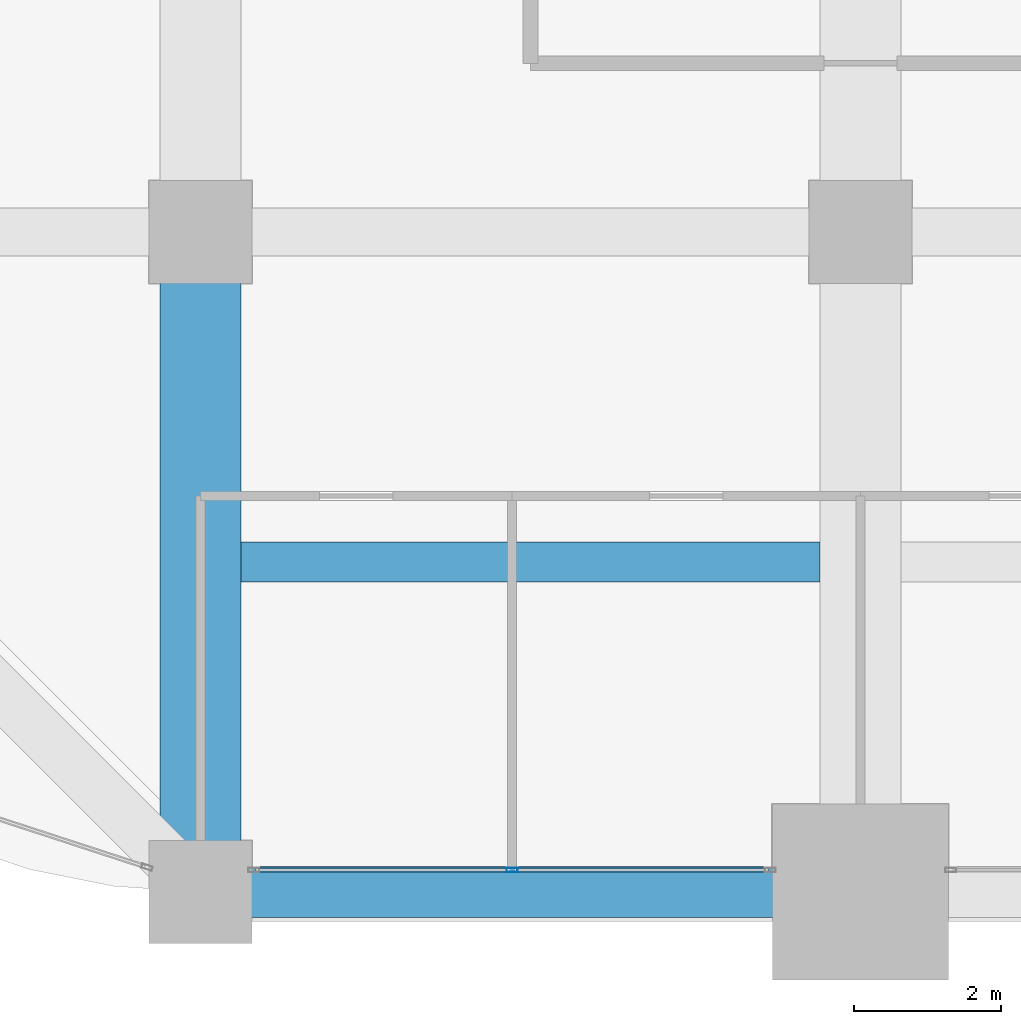
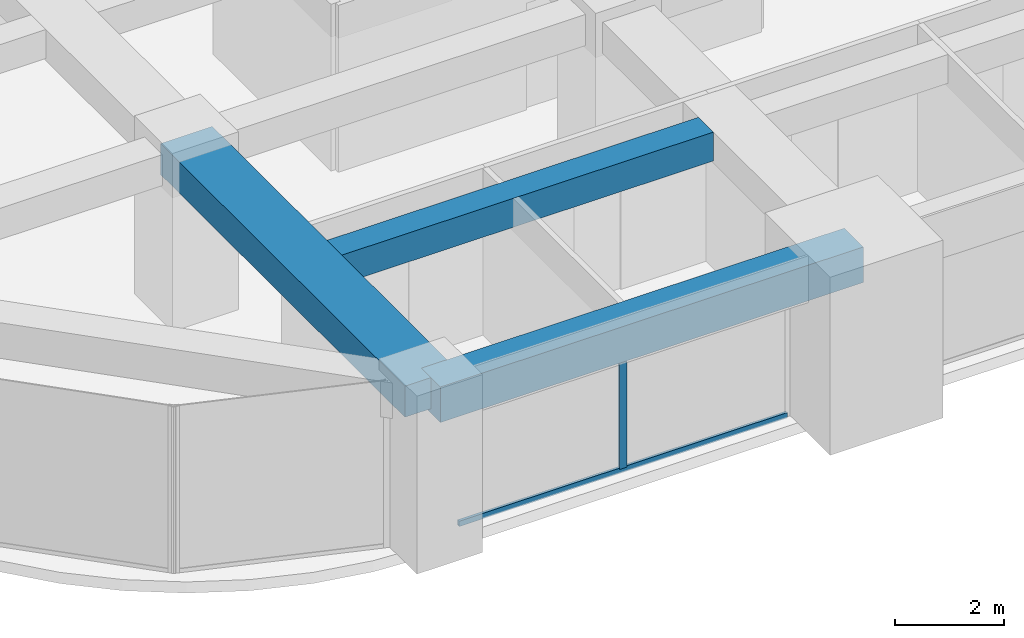
# One storey, part 3 of 33: 3 beams, 2 members, 1 element without a shape of its own.
"""IFC4 building model written with IfcOpenShell, lengths in metres."""

from ifc_helpers import new_model, si_unit, direction, frame, origin, origin_2d, place, context, subcontext, project, spatial, rectangle, hollow_rectangle, extrude, material, material_profile, profile_set, type_object, element, aggregate, save


model = new_model("IFC4")

# Units and contexts
model_context = context("Model", 3, precision=1e-05, world=origin(), true_north=direction((0.0, 1.0)))
body_context = subcontext(model_context, "Body", "Model", "MODEL_VIEW")
ifc_project = project(units=[si_unit("LENGTHUNIT", "METRE"), si_unit("AREAUNIT", "SQUARE_METRE"), si_unit("VOLUMEUNIT", "CUBIC_METRE"), si_unit("PLANEANGLEUNIT", "RADIAN"), si_unit("MASSUNIT", "GRAM", prefix="KILO")], contexts=[model_context])

# Site, building, storey
site_placement = place(None, origin())
site = spatial("IfcSite", under=ifc_project, at=site_placement, CompositionType="ELEMENT")
building_placement = place(site_placement, origin())
building = spatial("IfcBuilding", under=site, at=building_placement, Name="Zorevar Civic Tower", CompositionType="ELEMENT")
storey_placement = place(building_placement, frame((0.0, 0.0, 210.199951171875)))
storey = spatial("IfcBuildingStorey", under=building, at=storey_placement, Name="L51", CompositionType="ELEMENT", Elevation=210.199951171875)

# Beams
ifc_material_1 = material(Name="Concrete C50/60", Category="concrete")
ifc_material_profile_1 = material_profile(ifc_material_1, rectangle(XDim=1.10009765625, YDim=0.699951171875, at=origin_2d()), Name="RC 1100x700")
ifc_profile_set_1 = profile_set([ifc_material_profile_1], Name="Concrete C50/60")
beam_type_1 = type_object("IfcBeamType", Name="Beam RC 1100x700", PredefinedType="BEAM", material=ifc_profile_set_1)
beam_1_placement = place(storey_placement, frame((9.0, 0.0, 3.400146484375), z_axis=(0.0, 1.0, 0.0), x_axis=(-1.0, 0.0, 0.0)))
element("IfcBeam", 1, at=beam_1_placement, inside=storey, type_object=beam_type_1, Name="Girder L52", PredefinedType="BEAM", context=body_context, shape_type="SweptSolid", body=[
    extrude(rectangle(XDim=1.10009765625, YDim=0.699951171875, at=origin_2d()), origin(), (0.0, 0.0, 1.0), 9.0),
])
ifc_material_2 = material(Name="Concrete C50/60", Category="concrete")
ifc_material_profile_2 = material_profile(ifc_material_2, rectangle(XDim=0.550048828125, YDim=0.64990234375, at=origin_2d()), Name="RC 550x650")
ifc_profile_set_2 = profile_set([ifc_material_profile_2], Name="Concrete C50/60")
beam_type_2 = type_object("IfcBeamType", Name="Beam RC 550x650", PredefinedType="BEAM", material=ifc_profile_set_2)
beam_2_placement = place(storey_placement, frame((9.550048828125, 4.5, 3.425048828125), z_axis=(1.0, 0.0, 0.0), x_axis=(0.0, 1.0, 0.0)))
element("IfcBeam", 2, at=beam_2_placement, inside=storey, type_object=beam_type_2, Name="Secondary beam L52", PredefinedType="BEAM", context=body_context, shape_type="SweptSolid", body=[
    extrude(rectangle(XDim=0.550048828125, YDim=0.64990234375, at=origin_2d()), origin(), (0.0, 0.0, 1.0), 7.89990234375),
])

# Curtain wall, members
ifc_material_3 = material(Name="Dark grey solar-control glass in black aluminium frame", Category="aluminium")
curtain_wall_type = type_object("IfcCurtainWallType", Name="Curtain wall CW4 high zone", PredefinedType="NOTDEFINED", material=ifc_material_3)
curtain_wall_placement = place(storey_placement, origin())
curtain_wall = element("IfcCurtainWall", 3, at=curtain_wall_placement, inside=storey, type_object=curtain_wall_type, Name="CW4 L51", PredefinedType="NOTDEFINED")
ifc_material_4 = material(Name="Aluminium, black anodised", Category="aluminium")
ifc_material_profile_3 = material_profile(ifc_material_4, hollow_rectangle(XDim=0.06005859375, YDim=0.14990234375, WallThickness=0.00390625, at=origin_2d()), Name="AL 150x60x4")
ifc_profile_set_3 = profile_set([ifc_material_profile_3], Name="Aluminium, black anodised")
member_type_1 = type_object("IfcMemberType", Name="CW4 mullion AL 150x60x4", PredefinedType="MULLION", material=ifc_profile_set_3)
member_1_placement = place(storey_placement, frame((13.25, 0.300048828125, 0.06005859375), z_axis=(0.0, 0.0, 1.0), x_axis=(0.0, 1.0, 0.0)))
member_1 = element("IfcMember", 4, at=member_1_placement, type_object=member_type_1, Name="CW4 mullion 2", PredefinedType="MULLION", context=body_context, shape_type="SweptSolid", body=[
    extrude(hollow_rectangle(XDim=0.06005859375, YDim=0.14990234375, WallThickness=0.00390625, at=origin_2d()), origin(), (0.0, 0.0, 1.0), 2.889892578125),
])
ifc_material_5 = material(Name="Aluminium, black anodised", Category="aluminium")
ifc_material_profile_4 = material_profile(ifc_material_5, hollow_rectangle(XDim=0.06005859375, YDim=0.1201171875, WallThickness=0.0029296875, at=origin_2d()), Name="AL 120x60x3")
ifc_profile_set_4 = profile_set([ifc_material_profile_4], Name="Aluminium, black anodised")
member_type_2 = type_object("IfcMemberType", Name="CW4 transom AL 120x60x3", PredefinedType="USERDEFINED", material=ifc_profile_set_4)
member_2_placement = place(storey_placement, frame((9.760009765625, 0.300048828125, 0.030029296875), z_axis=(1.0, 0.0, 0.0), x_axis=(0.0, 1.0, 0.0)))
member_2 = element("IfcMember", 5, at=member_2_placement, type_object=member_type_2, Name="CW4 sill transom", ObjectType="TRANSOM", PredefinedType="USERDEFINED", context=body_context, shape_type="SweptSolid", body=[
    extrude(hollow_rectangle(XDim=0.06005859375, YDim=0.1201171875, WallThickness=0.0029296875, at=origin_2d()), origin(), (0.0, 0.0, 1.0), 6.97998046875),
])
aggregate(curtain_wall, [member_1, member_2])

# Beam
ifc_material_6 = material(Name="Concrete C50/60", Category="concrete")
ifc_material_profile_5 = material_profile(ifc_material_6, rectangle(XDim=0.699951171875, YDim=0.800048828125, at=origin_2d()), Name="RC 700x800")
ifc_profile_set_5 = profile_set([ifc_material_profile_5], Name="Concrete C50/60")
beam_type_3 = type_object("IfcBeamType", Name="Edge beam RC 700x800", PredefinedType="SPANDREL", material=ifc_profile_set_5)
beam_3_placement = place(storey_placement, frame((9.0, 0.0, 3.35009765625), z_axis=(1.0, 0.0, 0.0), x_axis=(0.0, 1.0, 0.0)))
element("IfcBeam", 6, at=beam_3_placement, inside=storey, type_object=beam_type_3, Name="Edge beam L52", PredefinedType="SPANDREL", context=body_context, shape_type="SweptSolid", body=[
    extrude(rectangle(XDim=0.699951171875, YDim=0.800048828125, at=origin_2d()), origin(), (0.0, 0.0, 1.0), 9.0),
])

save(model, "model.ifc")
